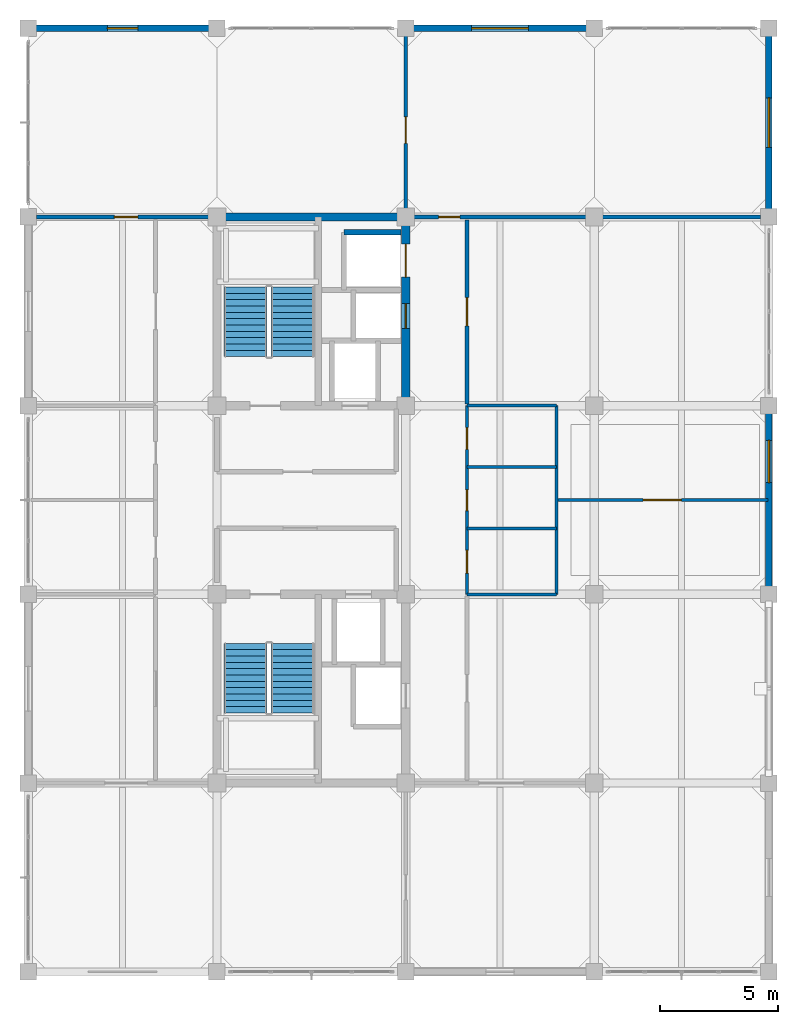
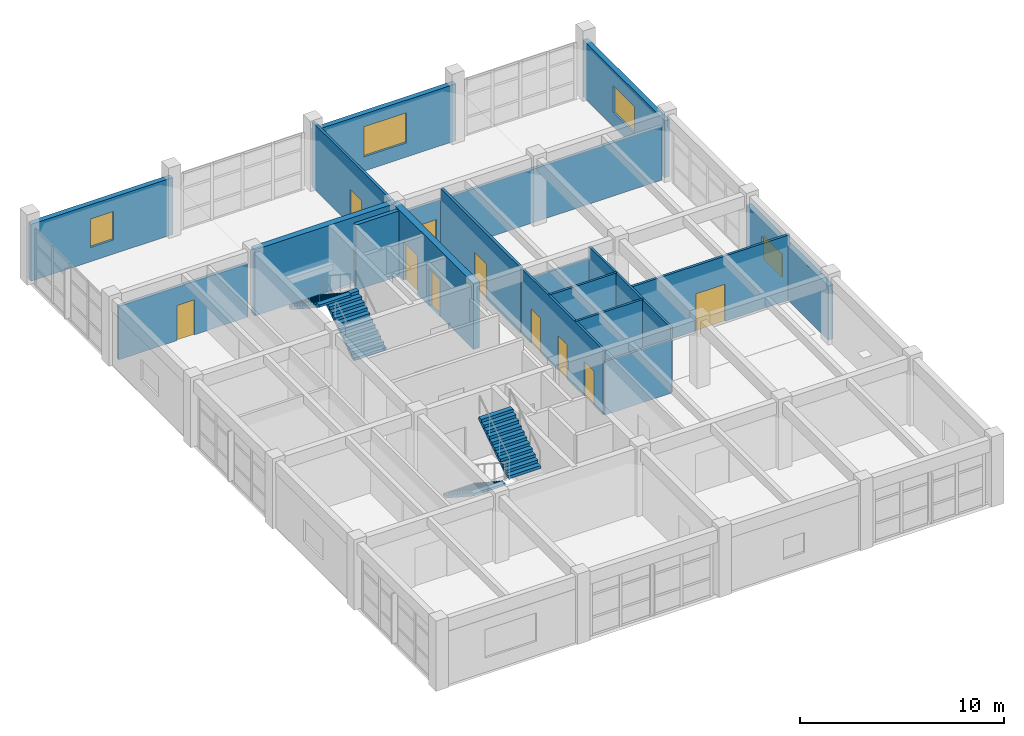
# One storey, part 16 of 19: 18 walls, 10 doors, 4 stair flights, 4 windows, 14 openings, 2 elements without a shape of their own.
"""IFC4 building model written with IfcOpenShell, lengths in metres."""

from ifc_helpers import new_model, si_unit, direction, frame, frame_2d, origin, place, context, subcontext, project, spatial, polyline, rectangle, outline, extrude, material, layer, layer_set, type_object, element, fill, aggregate, save


model = new_model("IFC4")

# Units and contexts
model_context = context("Model", 3, precision=1e-05, world=origin(), true_north=direction((0.0, 1.0)))
body_context = subcontext(model_context, "Body", "Model", "MODEL_VIEW")
ifc_project = project(units=[si_unit("LENGTHUNIT", "METRE"), si_unit("AREAUNIT", "SQUARE_METRE"), si_unit("VOLUMEUNIT", "CUBIC_METRE"), si_unit("PLANEANGLEUNIT", "RADIAN"), si_unit("MASSUNIT", "GRAM", prefix="KILO")], contexts=[model_context])

# Site, building, storey
site_placement = place(None, origin())
site = spatial("IfcSite", under=ifc_project, at=site_placement, CompositionType="ELEMENT")
building_placement = place(site_placement, origin())
building = spatial("IfcBuilding", under=site, at=building_placement, Name="Canggui Botanical Conservatory", CompositionType="ELEMENT")
storey_placement = place(building_placement, frame((0.0, 0.0, 44.39990234375)))
storey = spatial("IfcBuildingStorey", under=building, at=storey_placement, Name="L11", CompositionType="ELEMENT", Elevation=44.39990234375)

# Wall, opening, window
ifc_material_1 = material(Name="Precast Concrete C40", Category="concrete")
ifc_layer_1 = layer(ifc_material_1, 0.280029296875, Name="Precast Concrete C40", Category="concrete")
ifc_layer_set_1 = layer_set([ifc_layer_1], Name="Precast Concrete C40")
wall_type_1 = type_object("IfcWallType", Name="EW-280", PredefinedType="STANDARD", material=ifc_layer_set_1)
wall_1_placement = place(storey_placement, frame((146.0, 74.0, 0.0), z_axis=(0.0, 0.0, 1.0), x_axis=(1.0, 0.0, 0.0)))
wall_1 = element("IfcWall", 1, at=wall_1_placement, inside=storey, type_object=wall_type_1, Name="Tower Insulated Exterior Wall L11-N10", PredefinedType="STANDARD", context=body_context, shape_type="SweptSolid", body=[
    extrude(rectangle(XDim=8.0, YDim=0.280029296875, at=frame_2d((4.0, 0.0))), origin(), (0.0, 0.0, 1.0), 3.400146484375),
])
opening_1_placement = place(wall_1_placement, frame((3.35009765625, 0.0, 0.85009765625)))
opening_1 = element("IfcOpeningElement", 2, at=opening_1_placement, cuts=wall_1, Name="Opening W-24", PredefinedType="OPENING", context=body_context, shape_type="SweptSolid", body=[
    extrude(rectangle(XDim=1.300048828125, YDim=1.699951171875, at=frame_2d((0.64990234375, 0.85009765625))), frame((0.0, 0.14990234375, 0.0), z_axis=(0.0, -1.0, 0.0), x_axis=(1.0, 0.0, 0.0)), (0.0, 0.0, 1.0), 0.300048828125),
])
ifc_material_2 = material(Name="Low-E Insulated Glass", Category="glass")
window_type_1 = type_object("IfcWindowType", Name="WIN-24", PartitioningType="SINGLE_PANEL", PredefinedType="WINDOW", material=ifc_material_2)
window_1_placement = place(opening_1_placement, origin())
window_1 = element("IfcWindow", 3, at=window_1_placement, inside=storey, type_object=window_type_1, Name="Tower Window L11-10", OverallHeight=1.699951171875, OverallWidth=1.300048828125, PartitioningType="SINGLE_PANEL", PredefinedType="WINDOW", context=body_context, shape_type="SweptSolid", body=[
    extrude(rectangle(XDim=1.300048828125, YDim=1.699951171875, at=frame_2d((0.64990234375, 0.85009765625))), frame((0.0, 0.030029296875, 0.0), z_axis=(0.0, -1.0, 0.0), x_axis=(1.0, 0.0, 0.0)), (0.0, 0.0, 1.0), 0.06005859375),
])
fill(opening_1, window_1)

wall_2_placement = place(storey_placement, frame((162.0, 74.0, 0.0), z_axis=(0.0, 0.0, 1.0), x_axis=(1.0, 0.0, 0.0)))
wall_2 = element("IfcWall", 4, at=wall_2_placement, inside=storey, type_object=wall_type_1, Name="Tower Insulated Exterior Wall L11-N12", PredefinedType="STANDARD", context=body_context, shape_type="SweptSolid", body=[
    extrude(rectangle(XDim=8.0, YDim=0.280029296875, at=frame_2d((4.0, 0.0))), origin(), (0.0, 0.0, 1.0), 3.400146484375),
])
opening_2_placement = place(wall_2_placement, frame((2.800048828125, 0.0, 0.85009765625)))
opening_2 = element("IfcOpeningElement", 5, at=opening_2_placement, cuts=wall_2, Name="Opening W-01", PredefinedType="OPENING", context=body_context, shape_type="SweptSolid", body=[
    extrude(rectangle(XDim=2.39990234375, YDim=1.800048828125, at=frame_2d((1.199951171875, 0.89990234375))), frame((0.0, 0.14990234375, 0.0), z_axis=(0.0, -1.0, 0.0), x_axis=(1.0, 0.0, 0.0)), (0.0, 0.0, 1.0), 0.300048828125),
])
window_type_2 = type_object("IfcWindowType", Name="WIN-01", PartitioningType="DOUBLE_PANEL_VERTICAL", PredefinedType="WINDOW", material=ifc_material_2)
window_2_placement = place(opening_2_placement, origin())
window_2 = element("IfcWindow", 6, at=window_2_placement, inside=storey, type_object=window_type_2, Name="Tower Window L11-12", OverallHeight=1.800048828125, OverallWidth=2.39990234375, PartitioningType="SINGLE_PANEL", PredefinedType="WINDOW", context=body_context, shape_type="SweptSolid", body=[
    extrude(rectangle(XDim=2.39990234375, YDim=1.800048828125, at=frame_2d((1.199951171875, 0.89990234375))), frame((0.0, 0.030029296875, 0.0), z_axis=(0.0, -1.0, 0.0), x_axis=(1.0, 0.0, 0.0)), (0.0, 0.0, 1.0), 0.06005859375),
])
fill(opening_2, window_2)

wall_3_placement = place(storey_placement, frame((177.39990234375, 74.0, 0.0), z_axis=(0.0, 0.0, 1.0), x_axis=(0.0, -1.0, 0.0)))
wall_3 = element("IfcWall", 7, at=wall_3_placement, inside=storey, type_object=wall_type_1, Name="Tower Insulated Exterior Wall L11-E14", PredefinedType="STANDARD", context=body_context, shape_type="SweptSolid", body=[
    extrude(rectangle(XDim=8.0, YDim=0.280029296875, at=frame_2d((4.0, 0.0))), origin(), (0.0, 0.0, 1.0), 3.400146484375),
])
opening_3_placement = place(wall_3_placement, frame((2.949951171875, 0.0, 0.85009765625)))
opening_3 = element("IfcOpeningElement", 8, at=opening_3_placement, cuts=wall_3, Name="Opening W-02", PredefinedType="OPENING", context=body_context, shape_type="SweptSolid", body=[
    extrude(rectangle(XDim=2.10009765625, YDim=1.60009765625, at=frame_2d((1.050048828125, 0.800048828125))), frame((0.0, 0.14990234375, 0.0), z_axis=(0.0, -1.0, 0.0), x_axis=(1.0, 0.0, 0.0)), (0.0, 0.0, 1.0), 0.300048828125),
])
window_type_3 = type_object("IfcWindowType", Name="WIN-02", PartitioningType="DOUBLE_PANEL_VERTICAL", PredefinedType="WINDOW", material=ifc_material_2)
window_3_placement = place(opening_3_placement, origin())
window_3 = element("IfcWindow", 9, at=window_3_placement, inside=storey, type_object=window_type_3, Name="Tower Window L11-14", OverallHeight=1.60009765625, OverallWidth=2.10009765625, PartitioningType="SINGLE_PANEL", PredefinedType="WINDOW", context=body_context, shape_type="SweptSolid", body=[
    extrude(rectangle(XDim=2.10009765625, YDim=1.60009765625, at=frame_2d((1.050048828125, 0.800048828125))), frame((0.0, 0.030029296875, 0.0), z_axis=(0.0, -1.0, 0.0), x_axis=(1.0, 0.0, 0.0)), (0.0, 0.0, 1.0), 0.06005859375),
])
fill(opening_3, window_3)

wall_4_placement = place(storey_placement, frame((177.39990234375, 58.0, 0.0), z_axis=(0.0, 0.0, 1.0), x_axis=(0.0, -1.0, 0.0)))
wall_4 = element("IfcWall", 10, at=wall_4_placement, inside=storey, type_object=wall_type_1, Name="Tower Insulated Exterior Wall L11-E16", PredefinedType="STANDARD", context=body_context, shape_type="SweptSolid", body=[
    extrude(rectangle(XDim=8.0, YDim=0.280029296875, at=frame_2d((4.0, 0.0))), origin(), (0.0, 0.0, 1.0), 3.239990234375),
])
opening_4_placement = place(wall_4_placement, frame((1.467041015625, 0.0, 0.85009765625)))
opening_4 = element("IfcOpeningElement", 11, at=opening_4_placement, cuts=wall_4, Name="Opening W-03", PredefinedType="OPENING", context=body_context, shape_type="SweptSolid", body=[
    extrude(rectangle(XDim=1.800048828125, YDim=1.39990234375, at=frame_2d((0.89990234375, 0.699951171875))), frame((0.0, 0.14990234375, 0.0), z_axis=(0.0, -1.0, 0.0), x_axis=(1.0, 0.0, 0.0)), (0.0, 0.0, 1.0), 0.300048828125),
])
window_type_4 = type_object("IfcWindowType", Name="WIN-03", PartitioningType="DOUBLE_PANEL_VERTICAL", PredefinedType="WINDOW", material=ifc_material_2)
window_4_placement = place(opening_4_placement, origin())
window_4 = element("IfcWindow", 12, at=window_4_placement, inside=storey, type_object=window_type_4, Name="Tower Window L11-16", OverallHeight=1.39990234375, OverallWidth=1.800048828125, PartitioningType="SINGLE_PANEL", PredefinedType="WINDOW", context=body_context, shape_type="SweptSolid", body=[
    extrude(rectangle(XDim=1.800048828125, YDim=1.39990234375, at=frame_2d((0.89990234375, 0.699951171875))), frame((0.0, 0.030029296875, 0.0), z_axis=(0.0, -1.0, 0.0), x_axis=(1.0, 0.0, 0.0)), (0.0, 0.0, 1.0), 0.06005859375),
])
fill(opening_4, window_4)

# Wall, opening, door
ifc_material_3 = material(Name="Gypsum Plasterboard Partition")
ifc_layer_2 = layer(ifc_material_3, 0.175048828125, Name="Gypsum Plasterboard Partition")
ifc_layer_set_2 = layer_set([ifc_layer_2], Name="Gypsum Plasterboard Partition")
wall_type_2 = type_object("IfcWallType", Name="IW-CORR-175", PredefinedType="STANDARD", material=ifc_layer_set_2)
wall_5_placement = place(storey_placement, frame((146.35009765625, 66.0, 0.0), z_axis=(0.0, 0.0, 1.0), x_axis=(1.0, 0.0, 0.0)))
wall_5 = element("IfcWall", 13, at=wall_5_placement, inside=storey, type_object=wall_type_2, Name="L11 Natural Products Extraction Laboratory North Suite Wall", PredefinedType="STANDARD", context=body_context, shape_type="SweptSolid", body=[
    extrude(rectangle(XDim=7.2998046875, YDim=0.175048828125, at=frame_2d((3.64990234375, 0.0))), origin(), (0.0, 0.0, 1.0), 3.190185546875),
])
opening_5_placement = place(wall_5_placement, frame((3.300048828125, 0.0, 0.0)))
opening_5 = element("IfcOpeningElement", 14, at=opening_5_placement, cuts=wall_5, Name="Opening FD-03", PredefinedType="OPENING", context=body_context, shape_type="SweptSolid", body=[
    extrude(rectangle(XDim=1.0, YDim=2.10009765625, at=frame_2d((0.5, 1.050048828125))), frame((0.0, 0.09765625, 0.0), z_axis=(0.0, -1.0, 0.0), x_axis=(1.0, 0.0, 0.0)), (0.0, 0.0, 1.0), 0.195068359375),
])
ifc_material_4 = material(Name="Powder-Coated Steel", Category="steel")
door_type_1 = type_object("IfcDoorType", Name="FD-03", OperationType="NOTDEFINED", PredefinedType="DOOR", material=ifc_material_4)
door_1_placement = place(opening_5_placement, origin())
door_1 = element("IfcDoor", 15, at=door_1_placement, inside=storey, type_object=door_type_1, Name="Interior Door IW-L11-NCOR-1", OperationType="SINGLE_SWING_RIGHT", OverallHeight=2.10009765625, OverallWidth=1.0, PredefinedType="DOOR", context=body_context, shape_type="SweptSolid", body=[
    extrude(rectangle(XDim=1.0, YDim=2.10009765625, at=frame_2d((0.5, 1.050048828125))), frame((0.0, 0.02490234375, 0.0), z_axis=(0.0, -1.0, 0.0), x_axis=(1.0, 0.0, 0.0)), (0.0, 0.0, 1.0), 0.050048828125),
])
fill(opening_5, door_1)

wall_6_placement = place(storey_placement, frame((162.35009765625, 66.0, 0.0), z_axis=(0.0, 0.0, 1.0), x_axis=(1.0, 0.0, 0.0)))
wall_6 = element("IfcWall", 16, at=wall_6_placement, inside=storey, type_object=wall_type_2, Name="L11 Solvent Safety Storage Room North Suite Wall", PredefinedType="STANDARD", context=body_context, shape_type="SweptSolid", body=[
    extrude(rectangle(XDim=14.699951171875, YDim=0.175048828125, at=frame_2d((7.35009765625, 0.0))), origin(), (0.0, 0.0, 1.0), 3.190185546875),
])
opening_6_placement = place(wall_6_placement, frame((1.050048828125, 0.0, 0.0)))
opening_6 = element("IfcOpeningElement", 17, at=opening_6_placement, cuts=wall_6, Name="Opening FD-01", PredefinedType="OPENING", context=body_context, shape_type="SweptSolid", body=[
    extrude(rectangle(XDim=0.89990234375, YDim=2.10009765625, at=frame_2d((0.449951171875, 1.050048828125))), frame((0.0, 0.09765625, 0.0), z_axis=(0.0, -1.0, 0.0), x_axis=(1.0, 0.0, 0.0)), (0.0, 0.0, 1.0), 0.195068359375),
])
door_type_2 = type_object("IfcDoorType", Name="FD-01", OperationType="NOTDEFINED", PredefinedType="DOOR", material=ifc_material_4)
door_2_placement = place(opening_6_placement, origin())
door_2 = element("IfcDoor", 18, at=door_2_placement, inside=storey, type_object=door_type_2, Name="Interior Door IW-L11-NCOR-2", OperationType="SINGLE_SWING_RIGHT", OverallHeight=2.10009765625, OverallWidth=0.89990234375, PredefinedType="DOOR", context=body_context, shape_type="SweptSolid", body=[
    extrude(rectangle(XDim=0.89990234375, YDim=2.10009765625, at=frame_2d((0.449951171875, 1.050048828125))), frame((0.0, 0.02490234375, 0.0), z_axis=(0.0, -1.0, 0.0), x_axis=(1.0, 0.0, 0.0)), (0.0, 0.0, 1.0), 0.050048828125),
])
fill(opening_6, door_2)

ifc_layer_3 = layer(ifc_material_3, 0.155029296875, Name="Gypsum Plasterboard Partition")
ifc_layer_set_3 = layer_set([ifc_layer_3], Name="Gypsum Plasterboard Partition")
wall_type_3 = type_object("IfcWallType", Name="IW-LAB-155", PredefinedType="STANDARD", material=ifc_layer_set_3)
wall_7_placement = place(storey_placement, frame((164.60009765625, 58.080078125, 0.0), z_axis=(0.0, 0.0, 1.0), x_axis=(0.0, 1.0, 0.0)))
wall_7 = element("IfcWall", 19, at=wall_7_placement, inside=storey, type_object=wall_type_3, Name="L11 Metabolomics Write-Up Studio Lab Wall", PredefinedType="STANDARD", context=body_context, shape_type="SweptSolid", body=[
    extrude(rectangle(XDim=7.7998046875, YDim=0.155029296875, at=frame_2d((3.89990234375, 0.0))), origin(), (0.0, 0.0, 1.0), 3.900146484375),
])
opening_7_placement = place(wall_7_placement, frame((3.300048828125, 0.0, 0.0)))
opening_7 = element("IfcOpeningElement", 20, at=opening_7_placement, cuts=wall_7, Name="Opening FD-07", PredefinedType="OPENING", context=body_context, shape_type="SweptSolid", body=[
    extrude(rectangle(XDim=1.199951171875, YDim=2.10009765625, at=frame_2d((0.60009765625, 1.050048828125))), frame((0.0, 0.08740234375, 0.0), z_axis=(0.0, -1.0, 0.0), x_axis=(1.0, 0.0, 0.0)), (0.0, 0.0, 1.0), 0.175048828125),
])
door_type_3 = type_object("IfcDoorType", Name="FD-07", OperationType="NOTDEFINED", PredefinedType="DOOR", material=ifc_material_4)
door_3_placement = place(opening_7_placement, origin())
door_3 = element("IfcDoor", 21, at=door_3_placement, inside=storey, type_object=door_type_3, Name="Interior Door IW-L11-ECOR-2-1", OperationType="SINGLE_SWING_RIGHT", OverallHeight=2.10009765625, OverallWidth=1.199951171875, PredefinedType="DOOR", context=body_context, shape_type="SweptSolid", body=[
    extrude(rectangle(XDim=1.199951171875, YDim=2.10009765625, at=frame_2d((0.60009765625, 1.050048828125))), frame((0.0, 0.02490234375, 0.0), z_axis=(0.0, -1.0, 0.0), x_axis=(1.0, 0.0, 0.0)), (0.0, 0.0, 1.0), 0.050048828125),
])
fill(opening_7, door_3)

ifc_layer_4 = layer(ifc_material_3, 0.139892578125, Name="Gypsum Plasterboard Partition")
ifc_layer_set_4 = layer_set([ifc_layer_4], Name="Gypsum Plasterboard Partition")
wall_type_4 = type_object("IfcWallType", Name="IW-PART-140", PredefinedType="STANDARD", material=ifc_layer_set_4)
wall_8_placement = place(storey_placement, frame((168.39990234375, 54.0, 0.0), z_axis=(0.0, 0.0, 1.0), x_axis=(1.0, 0.0, 0.0)))
wall_8 = element("IfcWall", 22, at=wall_8_placement, inside=storey, type_object=wall_type_4, Name="L11 Chromatography Research Laboratory Subdivision Wall", PredefinedType="STANDARD", context=body_context, shape_type="SweptSolid", body=[
    extrude(rectangle(XDim=8.960205078125, YDim=0.139892578125, at=frame_2d((4.47998046875, 0.0))), origin(), (0.0, 0.0, 1.0), 3.900146484375),
])
opening_8_placement = place(wall_8_placement, frame((3.669921875, 0.0, 0.0)))
opening_8 = element("IfcOpeningElement", 23, at=opening_8_placement, cuts=wall_8, Name="Opening ID-15", PredefinedType="OPENING", context=body_context, shape_type="SweptSolid", body=[
    extrude(rectangle(XDim=1.6201171875, YDim=2.219970703125, at=frame_2d((0.81005859375, 1.10986328125))), frame((0.0, 0.080078125, 0.0), z_axis=(0.0, -1.0, 0.0), x_axis=(1.0, 0.0, 0.0)), (0.0, 0.0, 1.0), 0.159912109375),
])
ifc_material_5 = material(Name="Engineered Timber Veneer", Category="wood")
door_type_4 = type_object("IfcDoorType", Name="ID-15", OperationType="NOTDEFINED", PredefinedType="DOOR", material=ifc_material_5)
door_4_placement = place(opening_8_placement, origin())
door_4 = element("IfcDoor", 24, at=door_4_placement, inside=storey, type_object=door_type_4, Name="Interior Door IW-L11-EDIV-1", OperationType="DOUBLE_DOOR_SINGLE_SWING", OverallHeight=2.219970703125, OverallWidth=1.6201171875, PredefinedType="DOOR", context=body_context, shape_type="SweptSolid", body=[
    extrude(rectangle(XDim=1.6201171875, YDim=2.219970703125, at=frame_2d((0.81005859375, 1.10986328125))), frame((0.0, 0.02490234375, 0.0), z_axis=(0.0, -1.0, 0.0), x_axis=(1.0, 0.0, 0.0)), (0.0, 0.0, 1.0), 0.050048828125),
])
fill(opening_8, door_4)

wall_9_placement = place(storey_placement, frame((162.0, 66.1201171875, 0.0), z_axis=(0.0, 0.0, 1.0), x_axis=(0.0, 1.0, 0.0)))
wall_9 = element("IfcWall", 25, at=wall_9_placement, inside=storey, type_object=wall_type_4, Name="L11 Natural Products Extraction Laboratory North Cross Wall", PredefinedType="STANDARD", context=body_context, shape_type="SweptSolid", body=[
    extrude(rectangle(XDim=7.829833984375, YDim=0.139892578125, at=frame_2d((3.9150390625, 0.0))), origin(), (0.0, 0.0, 1.0), 3.900146484375),
])
opening_9_placement = place(wall_9_placement, frame((3.0, 0.0, 0.0)))
opening_9 = element("IfcOpeningElement", 26, at=opening_9_placement, cuts=wall_9, Name="Opening ID-06", PredefinedType="OPENING", context=body_context, shape_type="SweptSolid", body=[
    extrude(rectangle(XDim=1.1201171875, YDim=2.1201171875, at=frame_2d((0.56005859375, 1.06005859375))), frame((0.0, 0.080078125, 0.0), z_axis=(0.0, -1.0, 0.0), x_axis=(1.0, 0.0, 0.0)), (0.0, 0.0, 1.0), 0.159912109375),
])
door_type_5 = type_object("IfcDoorType", Name="ID-06", OperationType="NOTDEFINED", PredefinedType="DOOR", material=ifc_material_5)
door_5_placement = place(opening_9_placement, origin())
door_5 = element("IfcDoor", 27, at=door_5_placement, inside=storey, type_object=door_type_5, Name="Interior Door IW-L11-NDIV-1", OperationType="SINGLE_SWING_LEFT", OverallHeight=2.1201171875, OverallWidth=1.1201171875, PredefinedType="DOOR", context=body_context, shape_type="SweptSolid", body=[
    extrude(rectangle(XDim=1.1201171875, YDim=2.1201171875, at=frame_2d((0.56005859375, 1.06005859375))), frame((0.0, 0.02490234375, 0.0), z_axis=(0.0, -1.0, 0.0), x_axis=(1.0, 0.0, 0.0)), (0.0, 0.0, 1.0), 0.050048828125),
])
fill(opening_9, door_5)

# Wall
ifc_material_6 = material(Name="Concrete C35", Category="concrete")
ifc_layer_5 = layer(ifc_material_6, 0.215087890625, Name="Concrete C35", Category="concrete")
ifc_layer_set_5 = layer_set([ifc_layer_5], Name="Concrete C35")
wall_type_5 = type_object("IfcWallType", Name="IW-SHAFT-215", PredefinedType="STANDARD", material=ifc_layer_set_5)
wall_10_placement = place(storey_placement, frame((159.3798828125, 65.35009765625, 0.0), z_axis=(0.0, 0.0, 1.0), x_axis=(1.0, 0.0, 0.0)))
element("IfcWall", 28, at=wall_10_placement, inside=storey, type_object=wall_type_5, Name="Core T2 GL-01 North Shaft Wall L11", PredefinedType="STANDARD", context=body_context, shape_type="SweptSolid", body=[
    extrude(rectangle(XDim=2.420166015625, YDim=0.215087890625, at=frame_2d((1.2099609375, 0.0))), origin(), (0.0, 0.0, 1.0), 3.900146484375),
])

# Wall, openings, doors
ifc_layer_6 = layer(ifc_material_3, 0.125, Name="Gypsum Plasterboard Partition")
ifc_layer_set_6 = layer_set([ifc_layer_6], Name="Gypsum Plasterboard Partition")
wall_type_6 = type_object("IfcWallType", Name="IW-WC-125", PredefinedType="STANDARD", material=ifc_layer_set_6)
wall_11_placement = place(storey_placement, frame((164.60009765625, 50.0, 0.0), z_axis=(0.0, 0.0, 1.0), x_axis=(0.0, 1.0, 0.0)))
wall_11 = element("IfcWall", 29, at=wall_11_placement, inside=storey, type_object=wall_type_6, Name="L11 Restroom Block Corridor Wall", PredefinedType="STANDARD", context=body_context, shape_type="SweptSolid", body=[
    extrude(rectangle(XDim=8.0, YDim=0.125, at=frame_2d((4.0, 0.0))), origin(), (0.0, 0.0, 1.0), 3.900146484375),
])
opening_10_placement = place(wall_11_placement, frame((0.89990234375, 0.0, 0.0)))
opening_10 = element("IfcOpeningElement", 30, at=opening_10_placement, cuts=wall_11, Name="Opening ID-03", PredefinedType="OPENING", context=body_context, shape_type="SweptSolid", body=[
    extrude(rectangle(XDim=0.9599609375, YDim=2.080078125, at=frame_2d((0.47998046875, 1.0400390625))), frame((0.0, 0.072509765625, 0.0), z_axis=(0.0, -1.0, 0.0), x_axis=(1.0, 0.0, 0.0)), (0.0, 0.0, 1.0), 0.14501953125),
])
opening_11_placement = place(wall_11_placement, frame((3.550048828125, 0.0, 0.0)))
opening_11 = element("IfcOpeningElement", 31, at=opening_11_placement, cuts=wall_11, Name="Opening ID-01", PredefinedType="OPENING", context=body_context, shape_type="SweptSolid", body=[
    extrude(rectangle(XDim=0.8798828125, YDim=2.050048828125, at=frame_2d((0.43994140625, 1.02490234375))), frame((0.0, 0.072509765625, 0.0), z_axis=(0.0, -1.0, 0.0), x_axis=(1.0, 0.0, 0.0)), (0.0, 0.0, 1.0), 0.14501953125),
])
opening_12_placement = place(wall_11_placement, frame((6.14990234375, 0.0, 0.0)))
opening_12 = element("IfcOpeningElement", 32, at=opening_12_placement, cuts=wall_11, Name="Opening ID-02", PredefinedType="OPENING", context=body_context, shape_type="SweptSolid", body=[
    extrude(rectangle(XDim=0.919921875, YDim=2.050048828125, at=frame_2d((0.4599609375, 1.02490234375))), frame((0.0, 0.072509765625, 0.0), z_axis=(0.0, -1.0, 0.0), x_axis=(1.0, 0.0, 0.0)), (0.0, 0.0, 1.0), 0.14501953125),
])
door_type_6 = type_object("IfcDoorType", Name="ID-01", OperationType="NOTDEFINED", PredefinedType="DOOR", material=ifc_material_5)
door_6_placement = place(opening_11_placement, origin())
door_6 = element("IfcDoor", 33, at=door_6_placement, inside=storey, type_object=door_type_6, Name="L11 Male WC Door", OperationType="SINGLE_SWING_LEFT", OverallHeight=2.050048828125, OverallWidth=0.8798828125, PredefinedType="DOOR", context=body_context, shape_type="SweptSolid", body=[
    extrude(rectangle(XDim=0.8798828125, YDim=2.050048828125, at=frame_2d((0.43994140625, 1.02490234375))), frame((0.0, 0.02490234375, 0.0), z_axis=(0.0, -1.0, 0.0), x_axis=(1.0, 0.0, 0.0)), (0.0, 0.0, 1.0), 0.050048828125),
])
fill(opening_11, door_6)
door_type_7 = type_object("IfcDoorType", Name="ID-02", OperationType="NOTDEFINED", PredefinedType="DOOR", material=ifc_material_5)
door_7_placement = place(opening_12_placement, origin())
door_7 = element("IfcDoor", 34, at=door_7_placement, inside=storey, type_object=door_type_7, Name="L11 Female WC Door", OperationType="SINGLE_SWING_RIGHT", OverallHeight=2.050048828125, OverallWidth=0.919921875, PredefinedType="DOOR", context=body_context, shape_type="SweptSolid", body=[
    extrude(rectangle(XDim=0.919921875, YDim=2.050048828125, at=frame_2d((0.4599609375, 1.02490234375))), frame((0.0, 0.02490234375, 0.0), z_axis=(0.0, -1.0, 0.0), x_axis=(1.0, 0.0, 0.0)), (0.0, 0.0, 1.0), 0.050048828125),
])
fill(opening_12, door_7)
door_type_8 = type_object("IfcDoorType", Name="ID-03", OperationType="NOTDEFINED", PredefinedType="DOOR", material=ifc_material_5)
door_8_placement = place(opening_10_placement, origin())
door_8 = element("IfcDoor", 35, at=door_8_placement, inside=storey, type_object=door_type_8, Name="L11 Accessible WC Door", OperationType="SINGLE_SWING_RIGHT", OverallHeight=2.080078125, OverallWidth=0.9599609375, PredefinedType="DOOR", context=body_context, shape_type="SweptSolid", body=[
    extrude(rectangle(XDim=0.9599609375, YDim=2.080078125, at=frame_2d((0.47998046875, 1.0400390625))), frame((0.0, 0.02490234375, 0.0), z_axis=(0.0, -1.0, 0.0), x_axis=(1.0, 0.0, 0.0)), (0.0, 0.0, 1.0), 0.050048828125),
])
fill(opening_10, door_8)

# Walls
wall_12_placement = place(storey_placement, frame((168.39990234375, 50.0, 0.0), z_axis=(0.0, 0.0, 1.0), x_axis=(0.0, 1.0, 0.0)))
element("IfcWall", 36, at=wall_12_placement, inside=storey, type_object=wall_type_6, Name="L11 Restroom Block Back Wall", PredefinedType="STANDARD", context=body_context, shape_type="SweptSolid", body=[
    extrude(rectangle(XDim=8.0, YDim=0.125, at=frame_2d((4.0, 0.0))), origin(), (0.0, 0.0, 1.0), 3.900146484375),
])
wall_13_placement = place(storey_placement, frame((164.60009765625, 50.0, 0.0), z_axis=(0.0, 0.0, 1.0), x_axis=(1.0, 0.0, 0.0)))
element("IfcWall", 37, at=wall_13_placement, inside=storey, type_object=wall_type_6, Name="L11 Restroom Divider Y50.0", PredefinedType="STANDARD", context=body_context, shape_type="SweptSolid", body=[
    extrude(rectangle(XDim=3.7998046875, YDim=0.125, at=frame_2d((1.89990234375, 0.0))), origin(), (0.0, 0.0, 1.0), 3.190185546875),
])
for number, where, z_axis, x_axis, name in (
    (38, (164.60009765625, 52.800048828125, 0.0), (0.0, 0.0, 1.0), (1.0, 0.0, 0.0), "L11 Restroom Divider Y52.8"),
    (39, (164.60009765625, 55.39990234375, 0.0), (0.0, 0.0, 1.0), (1.0, 0.0, 0.0), "L11 Restroom Divider Y55.4"),
):
    element("IfcWall", number, at=place(storey_placement, frame(where, z_axis=z_axis, x_axis=x_axis)), inside=storey, type_object=wall_type_6, Name=name, PredefinedType="STANDARD", context=body_context, shape_type="SweptSolid", body=[
        extrude(rectangle(XDim=3.7998046875, YDim=0.125, at=frame_2d((1.89990234375, 0.0))), origin(), (0.0, 0.0, 1.0), 3.900146484375),
    ])
wall_14_placement = place(storey_placement, frame((164.60009765625, 58.0, 0.0), z_axis=(0.0, 0.0, 1.0), x_axis=(1.0, 0.0, 0.0)))
element("IfcWall", 40, at=wall_14_placement, inside=storey, type_object=wall_type_6, Name="L11 Restroom Divider Y58.0", PredefinedType="STANDARD", context=body_context, shape_type="SweptSolid", body=[
    extrude(rectangle(XDim=3.7998046875, YDim=0.125, at=frame_2d((1.89990234375, 0.0))), origin(), (0.0, 0.0, 1.0), 3.190185546875),
])

# Wall, openings, doors
ifc_material_7 = material(Name="Concrete C40", Category="concrete")
ifc_layer_7 = layer(ifc_material_7, 0.35009765625, Name="Concrete C40", Category="concrete")
ifc_layer_set_7 = layer_set([ifc_layer_7], Name="Concrete C40")
wall_type_7 = type_object("IfcWallType", Name="WALL-SH-350-C40", PredefinedType="SHEAR", material=ifc_layer_set_7)
wall_15_placement = place(storey_placement, frame((162.0, 58.0, 0.0), z_axis=(0.0, 0.0, 1.0), x_axis=(0.0, 1.0, 0.0)))
wall_15 = element("IfcWall", 41, at=wall_15_placement, inside=storey, type_object=wall_type_7, Name="Core T2 Shear Wall L11-E", PredefinedType="SHEAR", context=body_context, shape_type="SweptSolid", body=[
    extrude(rectangle(XDim=8.0, YDim=0.35009765625, at=frame_2d((4.0, 0.0))), origin(), (0.0, 0.0, 1.0), 3.9501953125),
])
opening_13_placement = place(wall_15_placement, frame((3.27490234375, 0.0, 0.0)))
opening_13 = element("IfcOpeningElement", 42, at=opening_13_placement, cuts=wall_15, Name="Opening LD-02", PredefinedType="OPENING", context=body_context, shape_type="SweptSolid", body=[
    extrude(rectangle(XDim=1.050048828125, YDim=2.199951171875, at=frame_2d((0.52490234375, 1.10009765625))), frame((0.0, 0.18505859375, 0.0), z_axis=(0.0, -1.0, 0.0), x_axis=(1.0, 0.0, 0.0)), (0.0, 0.0, 1.0), 0.3701171875),
])
opening_14_placement = place(wall_15_placement, frame((5.449951171875, 0.0, 0.0)))
opening_14 = element("IfcOpeningElement", 43, at=opening_14_placement, cuts=wall_15, Name="Opening LD-03", PredefinedType="OPENING", context=body_context, shape_type="SweptSolid", body=[
    extrude(rectangle(XDim=1.39990234375, YDim=2.300048828125, at=frame_2d((0.699951171875, 1.14990234375))), frame((0.0, 0.18505859375, 0.0), z_axis=(0.0, -1.0, 0.0), x_axis=(1.0, 0.0, 0.0)), (0.0, 0.0, 1.0), 0.3701171875),
])
ifc_material_8 = material(Name="Stainless Steel 304", Category="steel")
door_type_9 = type_object("IfcDoorType", Name="LDR-02", OperationType="NOTDEFINED", PredefinedType="DOOR", material=ifc_material_8)
door_9_placement = place(opening_13_placement, origin())
door_9 = element("IfcDoor", 44, at=door_9_placement, inside=storey, type_object=door_type_9, Name="Passenger Lift PL-02 Landing Door L11", OperationType="SLIDING_TO_RIGHT", OverallHeight=2.199951171875, OverallWidth=1.050048828125, PredefinedType="DOOR", context=body_context, shape_type="SweptSolid", body=[
    extrude(rectangle(XDim=1.050048828125, YDim=2.199951171875, at=frame_2d((0.52490234375, 1.10009765625))), frame((0.0, 0.02490234375, 0.0), z_axis=(0.0, -1.0, 0.0), x_axis=(1.0, 0.0, 0.0)), (0.0, 0.0, 1.0), 0.050048828125),
])
fill(opening_13, door_9)
door_type_10 = type_object("IfcDoorType", Name="LDR-03", OperationType="NOTDEFINED", PredefinedType="DOOR", material=ifc_material_8)
door_10_placement = place(opening_14_placement, origin())
door_10 = element("IfcDoor", 45, at=door_10_placement, inside=storey, type_object=door_type_10, Name="Herbarium Goods Lift GL-01 Landing Door L11", OperationType="DOUBLE_DOOR_SLIDING", OverallHeight=2.300048828125, OverallWidth=1.39990234375, PredefinedType="DOOR", context=body_context, shape_type="SweptSolid", body=[
    extrude(rectangle(XDim=1.39990234375, YDim=2.300048828125, at=frame_2d((0.699951171875, 1.14990234375))), frame((0.0, 0.02490234375, 0.0), z_axis=(0.0, -1.0, 0.0), x_axis=(1.0, 0.0, 0.0)), (0.0, 0.0, 1.0), 0.050048828125),
])
fill(opening_14, door_10)

# Wall
wall_16_placement = place(storey_placement, frame((162.0, 66.0, 0.0), z_axis=(0.0, 0.0, 1.0), x_axis=(-1.0, 0.0, 0.0)))
element("IfcWall", 46, at=wall_16_placement, inside=storey, type_object=wall_type_7, Name="Core T2 Shear Wall L11-N", PredefinedType="SHEAR", context=body_context, shape_type="SweptSolid", body=[
    extrude(rectangle(XDim=8.0, YDim=0.35009765625, at=frame_2d((4.0, 0.0))), origin(), (0.0, 0.0, 1.0), 3.9501953125),
])

# Stair, stair flights
stair_type = type_object("IfcStairType", Name="STR-TYPE-6", PredefinedType="HALF_TURN_STAIR", material=ifc_material_6)
stair_1_placement = place(storey_placement, origin())
stair_1 = element("IfcStair", 47, at=stair_1_placement, inside=storey, type_object=stair_type, Name="L11 Tower South Smoke-Proof Stair ST-T1", PredefinedType="HALF_TURN_STAIR")
stair_flight_type = type_object("IfcStairFlightType", Name="SFL-TYPE-6", PredefinedType="STRAIGHT", material=ifc_material_6)
stair_flight_1_placement = place(storey_placement, frame((155.2099609375, 47.919921875, 0.0), z_axis=(0.0, 0.0, 1.0), x_axis=(0.0, -1.0, 0.0)))
stair_flight_1 = element("IfcStairFlight", 48, at=stair_flight_1_placement, type_object=stair_flight_type, Name="ST-T1 flight 1", NumberOfRisers=12, NumberOfTreads=11, PredefinedType="STRAIGHT", RiserHeight=0.175, TreadLength=0.268, context=body_context, shape_type="SweptSolid", body=[
    extrude(outline(polyline([(0.0, 0.0), (0.0, 0.175048828125), (0.26806640625, 0.175048828125), (0.26806640625, 0.35009765625), (0.535888671875, 0.35009765625), (0.535888671875, 0.52490234375), (0.803955078125, 0.52490234375), (0.803955078125, 0.699951171875), (1.072021484375, 0.699951171875), (1.072021484375, 0.875), (1.340087890625, 0.875), (1.340087890625, 1.050048828125), (1.60791015625, 1.050048828125), (1.60791015625, 1.22509765625), (1.8759765625, 1.22509765625), (1.8759765625, 1.39990234375), (2.14404296875, 1.39990234375), (2.14404296875, 1.574951171875), (2.412109375, 1.574951171875), (2.412109375, 1.75), (2.679931640625, 1.75), (2.679931640625, 1.925048828125), (2.947998046875, 1.925048828125), (2.947998046875, 2.10009765625), (2.947998046875, 1.781494140625), (0.2197265625, 0.0), (0.0, 0.0)])), frame((0.0, 0.91015625, 0.0), z_axis=(0.0, -1.0, 0.0), x_axis=(1.0, 0.0, 0.0)), (0.0, 0.0, 1.0), 1.820068359375),
])
stair_flight_2_placement = place(storey_placement, frame((157.2099609375, 44.971923828125, 2.10009765625), z_axis=(0.0, 0.0, 1.0), x_axis=(0.0, 1.0, 0.0)))
stair_flight_2 = element("IfcStairFlight", 49, at=stair_flight_2_placement, type_object=stair_flight_type, Name="ST-T1 flight 2", NumberOfRisers=12, NumberOfTreads=11, PredefinedType="STRAIGHT", RiserHeight=0.175, TreadLength=0.268, context=body_context, shape_type="SweptSolid", body=[
    extrude(outline(polyline([(0.0, 0.0), (0.0, 0.175048828125), (0.26806640625, 0.175048828125), (0.26806640625, 0.35009765625), (0.535888671875, 0.35009765625), (0.535888671875, 0.52490234375), (0.803955078125, 0.52490234375), (0.803955078125, 0.699951171875), (1.072021484375, 0.699951171875), (1.072021484375, 0.875), (1.340087890625, 0.875), (1.340087890625, 1.050048828125), (1.60791015625, 1.050048828125), (1.60791015625, 1.22509765625), (1.8759765625, 1.22509765625), (1.8759765625, 1.39990234375), (2.14404296875, 1.39990234375), (2.14404296875, 1.574951171875), (2.412109375, 1.574951171875), (2.412109375, 1.75), (2.679931640625, 1.75), (2.679931640625, 1.925048828125), (2.947998046875, 1.925048828125), (2.947998046875, 2.10009765625), (2.947998046875, 1.781494140625), (0.2197265625, 0.0), (0.0, 0.0)])), frame((0.0, 0.91015625, 0.0), z_axis=(0.0, -1.0, 0.0), x_axis=(1.0, 0.0, 0.0)), (0.0, 0.0, 1.0), 1.820068359375),
])
aggregate(stair_1, [stair_flight_1, stair_flight_2])

stair_2_placement = place(storey_placement, origin())
stair_2 = element("IfcStair", 50, at=stair_2_placement, inside=storey, type_object=stair_type, Name="L11 Tower North Smoke-Proof Stair ST-T2", PredefinedType="HALF_TURN_STAIR")
stair_flight_3_placement = place(storey_placement, frame((157.2099609375, 60.080078125, 0.0), z_axis=(0.0, 0.0, 1.0), x_axis=(0.0, 1.0, 0.0)))
stair_flight_3 = element("IfcStairFlight", 51, at=stair_flight_3_placement, type_object=stair_flight_type, Name="ST-T2 flight 1", NumberOfRisers=12, NumberOfTreads=11, PredefinedType="STRAIGHT", RiserHeight=0.175, TreadLength=0.268, context=body_context, shape_type="SweptSolid", body=[
    extrude(outline(polyline([(0.0, 0.0), (0.0, 0.175048828125), (0.26806640625, 0.175048828125), (0.26806640625, 0.35009765625), (0.535888671875, 0.35009765625), (0.535888671875, 0.52490234375), (0.803955078125, 0.52490234375), (0.803955078125, 0.699951171875), (1.072021484375, 0.699951171875), (1.072021484375, 0.875), (1.340087890625, 0.875), (1.340087890625, 1.050048828125), (1.60791015625, 1.050048828125), (1.60791015625, 1.22509765625), (1.8759765625, 1.22509765625), (1.8759765625, 1.39990234375), (2.14404296875, 1.39990234375), (2.14404296875, 1.574951171875), (2.412109375, 1.574951171875), (2.412109375, 1.75), (2.679931640625, 1.75), (2.679931640625, 1.925048828125), (2.947998046875, 1.925048828125), (2.947998046875, 2.10009765625), (2.947998046875, 1.781494140625), (0.2197265625, 0.0), (0.0, 0.0)])), frame((0.0, 0.91015625, 0.0), z_axis=(0.0, -1.0, 0.0), x_axis=(1.0, 0.0, 0.0)), (0.0, 0.0, 1.0), 1.820068359375),
])
stair_flight_4_placement = place(storey_placement, frame((155.2099609375, 63.028076171875, 2.10009765625), z_axis=(0.0, 0.0, 1.0), x_axis=(0.0, -1.0, 0.0)))
stair_flight_4 = element("IfcStairFlight", 52, at=stair_flight_4_placement, type_object=stair_flight_type, Name="ST-T2 flight 2", NumberOfRisers=12, NumberOfTreads=11, PredefinedType="STRAIGHT", RiserHeight=0.175, TreadLength=0.268, context=body_context, shape_type="SweptSolid", body=[
    extrude(outline(polyline([(0.0, 0.0), (0.0, 0.175048828125), (0.26806640625, 0.175048828125), (0.26806640625, 0.35009765625), (0.535888671875, 0.35009765625), (0.535888671875, 0.52490234375), (0.803955078125, 0.52490234375), (0.803955078125, 0.699951171875), (1.072021484375, 0.699951171875), (1.072021484375, 0.875), (1.340087890625, 0.875), (1.340087890625, 1.050048828125), (1.60791015625, 1.050048828125), (1.60791015625, 1.22509765625), (1.8759765625, 1.22509765625), (1.8759765625, 1.39990234375), (2.14404296875, 1.39990234375), (2.14404296875, 1.574951171875), (2.412109375, 1.574951171875), (2.412109375, 1.75), (2.679931640625, 1.75), (2.679931640625, 1.925048828125), (2.947998046875, 1.925048828125), (2.947998046875, 2.10009765625), (2.947998046875, 1.781494140625), (0.2197265625, 0.0), (0.0, 0.0)])), frame((0.0, 0.91015625, 0.0), z_axis=(0.0, -1.0, 0.0), x_axis=(1.0, 0.0, 0.0)), (0.0, 0.0, 1.0), 1.820068359375),
])
aggregate(stair_2, [stair_flight_3, stair_flight_4])

save(model, "model.ifc")
